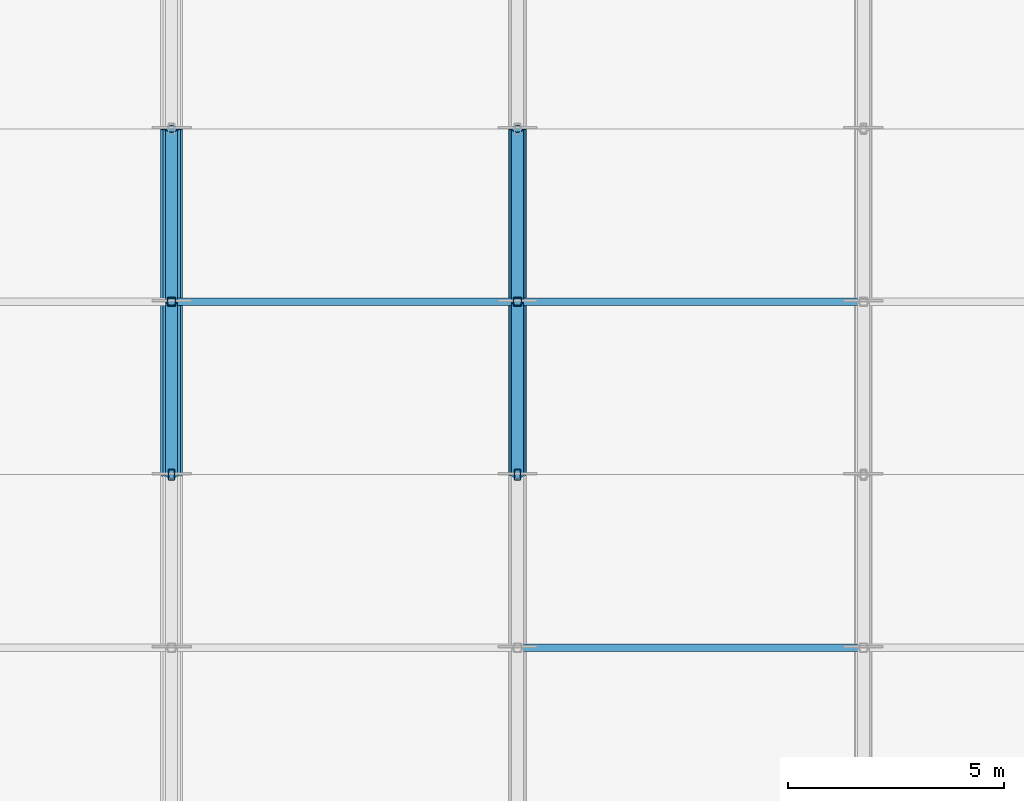
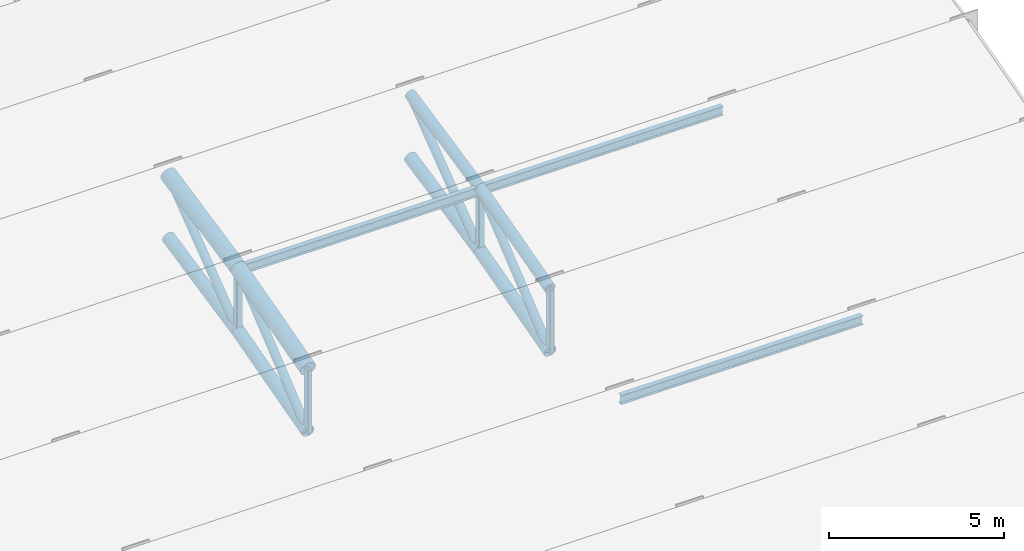
# One storey, part 47 of 98: 19 members.
"""IFC4 building model written with IfcOpenShell, lengths in metres."""

from ifc_helpers import new_model, si_unit, direction, frame, origin, origin_2d, place, context, subcontext, project, spatial, hollow_rectangle, hollow_circle, i_section, extrude, material, material_profile, profile_set, type_object, element, save


model = new_model("IFC4")

# Units and contexts
model_context = context("Model", 3, precision=1e-05, world=origin(), true_north=direction((0.0, 1.0)))
body_context = subcontext(model_context, "Body", "Model", "MODEL_VIEW")
ifc_project = project(units=[si_unit("LENGTHUNIT", "METRE"), si_unit("AREAUNIT", "SQUARE_METRE"), si_unit("VOLUMEUNIT", "CUBIC_METRE"), si_unit("PLANEANGLEUNIT", "RADIAN"), si_unit("MASSUNIT", "GRAM", prefix="KILO")], contexts=[model_context])

# Site, building, storey
site_placement = place(None, origin())
site = spatial("IfcSite", under=ifc_project, at=site_placement, CompositionType="ELEMENT")
building_placement = place(site_placement, origin())
building = spatial("IfcBuilding", under=site, at=building_placement, Name="Tlacozan Convention Centre", CompositionType="ELEMENT")
storey_placement = place(building_placement, frame((0.0, 0.0, 25.800048828125)))
storey = spatial("IfcBuildingStorey", under=building, at=storey_placement, Name="Roof", CompositionType="ELEMENT", Elevation=25.800048828125)

# Members
ifc_material_1 = material(Name="Steel ASTM A500 Grade C", Category="steel")
ifc_material_profile_1 = material_profile(ifc_material_1, hollow_circle(Radius=0.203125, WallThickness=0.015869140625, at=origin_2d()), Name="OC 406.4x15.9")
ifc_profile_set_1 = profile_set([ifc_material_profile_1], Name="Steel ASTM A500 Grade C")
member_type_1 = type_object("IfcMemberType", Name="Arch Bottom Chord OC 406.4x15.9", PredefinedType="CHORD", material=ifc_profile_set_1)
member_1_placement = place(storey_placement, frame((144.0, 74.0, -7.807861328125), z_axis=(0.0, 0.964289609145, 0.26485005134), x_axis=(-1.0, 0.0, 0.0)))
element("IfcMember", 1, at=member_1_placement, inside=storey, type_object=member_type_1, Name="V2A Roof Truss 19 Bottom Chord 4", PredefinedType="CHORD", context=body_context, shape_type="SweptSolid", body=[
    extrude(hollow_circle(Radius=0.203125, WallThickness=0.015869140625, at=origin_2d()), origin(), (0.0, 0.0, 1.0), 4.148193359375),
])
member_2_placement = place(storey_placement, frame((144.0, 78.0, -6.709228515625), z_axis=(0.0, 0.978552953366, 0.205995430674), x_axis=(-1.0, 0.0, 0.0)))
element("IfcMember", 2, at=member_2_placement, inside=storey, type_object=member_type_1, Name="V2A Roof Truss 19 Bottom Chord 5", PredefinedType="CHORD", context=body_context, shape_type="SweptSolid", body=[
    extrude(hollow_circle(Radius=0.203125, WallThickness=0.015869140625, at=origin_2d()), origin(), (0.0, 0.0, 1.0), 4.087646484375),
])
member_3_placement = place(storey_placement, frame((152.0, 74.0, -7.807861328125), z_axis=(0.0, 0.964289609145, 0.26485005134), x_axis=(-1.0, 0.0, 0.0)))
element("IfcMember", 3, at=member_3_placement, inside=storey, type_object=member_type_1, Name="V2A Roof Truss 20 Bottom Chord 4", PredefinedType="CHORD", context=body_context, shape_type="SweptSolid", body=[
    extrude(hollow_circle(Radius=0.203125, WallThickness=0.015869140625, at=origin_2d()), origin(), (0.0, 0.0, 1.0), 4.148193359375),
])
member_4_placement = place(storey_placement, frame((152.0, 78.0, -6.709228515625), z_axis=(0.0, 0.978552953366, 0.205995430674), x_axis=(-1.0, 0.0, 0.0)))
element("IfcMember", 4, at=member_4_placement, inside=storey, type_object=member_type_1, Name="V2A Roof Truss 20 Bottom Chord 5", PredefinedType="CHORD", context=body_context, shape_type="SweptSolid", body=[
    extrude(hollow_circle(Radius=0.203125, WallThickness=0.015869140625, at=origin_2d()), origin(), (0.0, 0.0, 1.0), 4.087646484375),
])
ifc_material_profile_2 = material_profile(ifc_material_1, hollow_circle(Radius=0.25390625, WallThickness=0.01904296875, at=origin_2d()), Name="OC 508.0x19.1")
ifc_profile_set_2 = profile_set([ifc_material_profile_2], Name="Steel ASTM A500 Grade C")
member_type_2 = type_object("IfcMemberType", Name="Arch Top Chord OC 508x19.1", PredefinedType="CHORD", material=ifc_profile_set_2)
member_5_placement = place(storey_placement, frame((144.0, 74.0, -5.607666015625), z_axis=(0.0, 0.964304639076, 0.264795322949), x_axis=(-1.0, 0.0, 0.0)))
element("IfcMember", 5, at=member_5_placement, inside=storey, type_object=member_type_2, Name="V2A Roof Truss 19 Top Chord 4", PredefinedType="CHORD", context=body_context, shape_type="SweptSolid", body=[
    extrude(hollow_circle(Radius=0.25390625, WallThickness=0.01904296875, at=origin_2d()), origin(), (0.0, 0.0, 1.0), 4.14794921875),
])
member_6_placement = place(storey_placement, frame((144.0, 78.0, -4.50927734375), z_axis=(0.0, 0.978552953366, 0.205995430674), x_axis=(-1.0, 0.0, 0.0)))
element("IfcMember", 6, at=member_6_placement, inside=storey, type_object=member_type_2, Name="V2A Roof Truss 19 Top Chord 5", PredefinedType="CHORD", context=body_context, shape_type="SweptSolid", body=[
    extrude(hollow_circle(Radius=0.25390625, WallThickness=0.01904296875, at=origin_2d()), origin(), (0.0, 0.0, 1.0), 4.087646484375),
])
ifc_material_profile_3 = material_profile(ifc_material_1, hollow_circle(Radius=0.136474609375, WallThickness=0.0126953125, at=origin_2d()), Name="OC 273.1x12.7")
ifc_profile_set_3 = profile_set([ifc_material_profile_3], Name="Steel ASTM A500 Grade C")
member_type_3 = type_object("IfcMemberType", Name="Arch Web Diagonal OC 273.1x12.7", PredefinedType="BRACE", material=ifc_profile_set_3)
member_7_placement = place(storey_placement, frame((144.0, 74.0, -7.807861328125), z_axis=(0.0, 0.771507331308, 0.63622043172), x_axis=(-1.0, 0.0, 0.0)))
element("IfcMember", 7, at=member_7_placement, inside=storey, type_object=member_type_3, Name="V2A Roof Truss 19 Web Diagonal 4", PredefinedType="BRACE", context=body_context, shape_type="SweptSolid", body=[
    extrude(hollow_circle(Radius=0.136474609375, WallThickness=0.0126953125, at=origin_2d()), origin(), (0.0, 0.0, 1.0), 5.1845703125),
])
member_8_placement = place(storey_placement, frame((144.0, 78.0, -6.709228515625), z_axis=(0.0, 0.795971176065, 0.605334524766), x_axis=(-1.0, 0.0, 0.0)))
element("IfcMember", 8, at=member_8_placement, inside=storey, type_object=member_type_3, Name="V2A Roof Truss 19 Web Diagonal 5", PredefinedType="BRACE", context=body_context, shape_type="SweptSolid", body=[
    extrude(hollow_circle(Radius=0.136474609375, WallThickness=0.0126953125, at=origin_2d()), origin(), (0.0, 0.0, 1.0), 5.025390625),
])
member_9_placement = place(storey_placement, frame((152.0, 74.0, -7.807861328125), z_axis=(0.0, 0.771507331308, 0.63622043172), x_axis=(-1.0, 0.0, 0.0)))
element("IfcMember", 9, at=member_9_placement, inside=storey, type_object=member_type_3, Name="V2A Roof Truss 20 Web Diagonal 4", PredefinedType="BRACE", context=body_context, shape_type="SweptSolid", body=[
    extrude(hollow_circle(Radius=0.136474609375, WallThickness=0.0126953125, at=origin_2d()), origin(), (0.0, 0.0, 1.0), 5.1845703125),
])
member_10_placement = place(storey_placement, frame((152.0, 78.0, -6.709228515625), z_axis=(0.0, 0.795971176065, 0.605334524766), x_axis=(-1.0, 0.0, 0.0)))
element("IfcMember", 10, at=member_10_placement, inside=storey, type_object=member_type_3, Name="V2A Roof Truss 20 Web Diagonal 5", PredefinedType="BRACE", context=body_context, shape_type="SweptSolid", body=[
    extrude(hollow_circle(Radius=0.136474609375, WallThickness=0.0126953125, at=origin_2d()), origin(), (0.0, 0.0, 1.0), 5.025390625),
])
ifc_material_profile_4 = material_profile(ifc_material_1, hollow_rectangle(XDim=0.203125, YDim=0.203125, WallThickness=0.0126953125, InnerFilletRadius=0.0126953125, OuterFilletRadius=0.02490234375, at=origin_2d()), Name="OR 203x203x12.7")
ifc_profile_set_4 = profile_set([ifc_material_profile_4], Name="Steel ASTM A500 Grade C")
member_type_4 = type_object("IfcMemberType", Name="Arch Web Strut OR 203x203x12.7", PredefinedType="STRUT", material=ifc_profile_set_4)
for number, where, z_axis, x_axis, name in (
    (11, (144.0, 78.0, -6.709228515625), (0.0, 0.0, 1.0), (1.0, 0.0, 0.0), "V2A Roof Truss 19 Vertical Strut 5"),
    (12, (152.0, 78.0, -6.709228515625), (0.0, 0.0, 1.0), (1.0, 0.0, 0.0), "V2A Roof Truss 20 Vertical Strut 5"),
):
    element("IfcMember", number, at=place(storey_placement, frame(where, z_axis=z_axis, x_axis=x_axis)), inside=storey, type_object=member_type_4, Name=name, PredefinedType="STRUT", context=body_context, shape_type="SweptSolid", body=[
        extrude(hollow_rectangle(XDim=0.203125, YDim=0.203125, WallThickness=0.0126953125, InnerFilletRadius=0.0126953125, OuterFilletRadius=0.02490234375, at=origin_2d()), origin(), (0.0, 0.0, 1.0), 2.199951171875),
    ])
ifc_material_2 = material(Name="Steel ASTM A992 Grade 50", Category="steel")
ifc_material_profile_5 = material_profile(ifc_material_2, i_section(OverallWidth=0.1669921875, OverallDepth=0.31689453125, WebThickness=0.007568359375, FlangeThickness=0.01318359375, FilletRadius=0.010009765625, at=origin_2d()), Name="IR 305x52.2")
ifc_profile_set_5 = profile_set([ifc_material_profile_5], Name="Steel ASTM A992 Grade 50")
member_type_5 = type_object("IfcMemberType", Name="Roof Purlin IR 305x52.2", PredefinedType="PURLIN", material=ifc_profile_set_5)
for number, where, z_axis, x_axis, name in (
    (13, (144.0, 78.0, -4.57421875), (1.0, 0.0, 0.0), (0.0, 1.0, 0.0), "V2A Roof Truss Purlin 19.5"),
    (14, (152.0, 70.0, -7.041259765625), (1.0, 0.0, 0.0), (0.0, 1.0, 0.0), "V2A Roof Truss Purlin 20.3"),
    (15, (152.0, 78.0, -4.57421875), (1.0, 0.0, 0.0), (0.0, 1.0, 0.0), "V2A Roof Truss Purlin 20.5"),
):
    element("IfcMember", number, at=place(storey_placement, frame(where, z_axis=z_axis, x_axis=x_axis)), inside=storey, type_object=member_type_5, Name=name, PredefinedType="PURLIN", context=body_context, shape_type="SweptSolid", body=[
        extrude(i_section(OverallWidth=0.1669921875, OverallDepth=0.31689453125, WebThickness=0.007568359375, FlangeThickness=0.01318359375, FilletRadius=0.010009765625, at=origin_2d()), origin(), (0.0, 0.0, 1.0), 8.0),
    ])
ifc_material_profile_6 = material_profile(ifc_material_1, hollow_circle(Radius=0.177734375, WallThickness=0.015869140625, at=origin_2d()), Name="OC 355.6x15.9")
ifc_profile_set_6 = profile_set([ifc_material_profile_6], Name="Steel ASTM A500 Grade C")
member_type_6 = type_object("IfcMemberType", Name="Secondary Arch Chord OC 355.6x15.9", PredefinedType="CHORD", material=ifc_profile_set_6)
member_11_placement = place(storey_placement, frame((152.0, 74.0, -5.607666015625), z_axis=(0.0, 0.964304639076, 0.264795322949), x_axis=(-1.0, 0.0, 0.0)))
element("IfcMember", 16, at=member_11_placement, inside=storey, type_object=member_type_6, Name="V2A Roof Truss 20 Top Chord 4", PredefinedType="CHORD", context=body_context, shape_type="SweptSolid", body=[
    extrude(hollow_circle(Radius=0.177734375, WallThickness=0.015869140625, at=origin_2d()), origin(), (0.0, 0.0, 1.0), 4.14794921875),
])
member_12_placement = place(storey_placement, frame((152.0, 78.0, -4.50927734375), z_axis=(0.0, 0.978552953366, 0.205995430674), x_axis=(-1.0, 0.0, 0.0)))
element("IfcMember", 17, at=member_12_placement, inside=storey, type_object=member_type_6, Name="V2A Roof Truss 20 Top Chord 5", PredefinedType="CHORD", context=body_context, shape_type="SweptSolid", body=[
    extrude(hollow_circle(Radius=0.177734375, WallThickness=0.015869140625, at=origin_2d()), origin(), (0.0, 0.0, 1.0), 4.087646484375),
])
ifc_material_profile_7 = material_profile(ifc_material_1, hollow_rectangle(XDim=0.15234375, YDim=0.25390625, WallThickness=0.0126953125, InnerFilletRadius=0.0126953125, OuterFilletRadius=0.02490234375, at=origin_2d()), Name="OR 254x152x12.7")
ifc_profile_set_7 = profile_set([ifc_material_profile_7], Name="Steel ASTM A500 Grade C")
member_type_7 = type_object("IfcMemberType", Name="Truss Secondary Strut OR 254x152x12.7", PredefinedType="STRUT", material=ifc_profile_set_7)
for number, where, z_axis, x_axis, name in (
    (18, (144.0, 74.0, -7.807861328125), (0.0, 0.0, 1.0), (1.0, 0.0, 0.0), "V2A Roof Truss 19 Vertical Strut 4"),
    (19, (152.0, 74.0, -7.807861328125), (0.0, 0.0, 1.0), (1.0, 0.0, 0.0), "V2A Roof Truss 20 Vertical Strut 4"),
):
    element("IfcMember", number, at=place(storey_placement, frame(where, z_axis=z_axis, x_axis=x_axis)), inside=storey, type_object=member_type_7, Name=name, PredefinedType="STRUT", context=body_context, shape_type="SweptSolid", body=[
        extrude(hollow_rectangle(XDim=0.15234375, YDim=0.25390625, WallThickness=0.0126953125, InnerFilletRadius=0.0126953125, OuterFilletRadius=0.02490234375, at=origin_2d()), origin(), (0.0, 0.0, 1.0), 2.2001953125),
    ])

save(model, "model.ifc")
